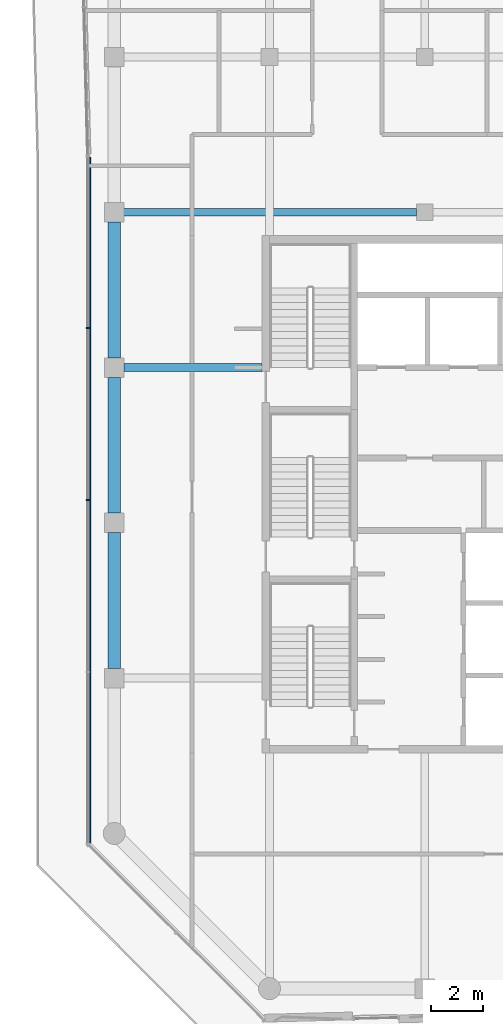
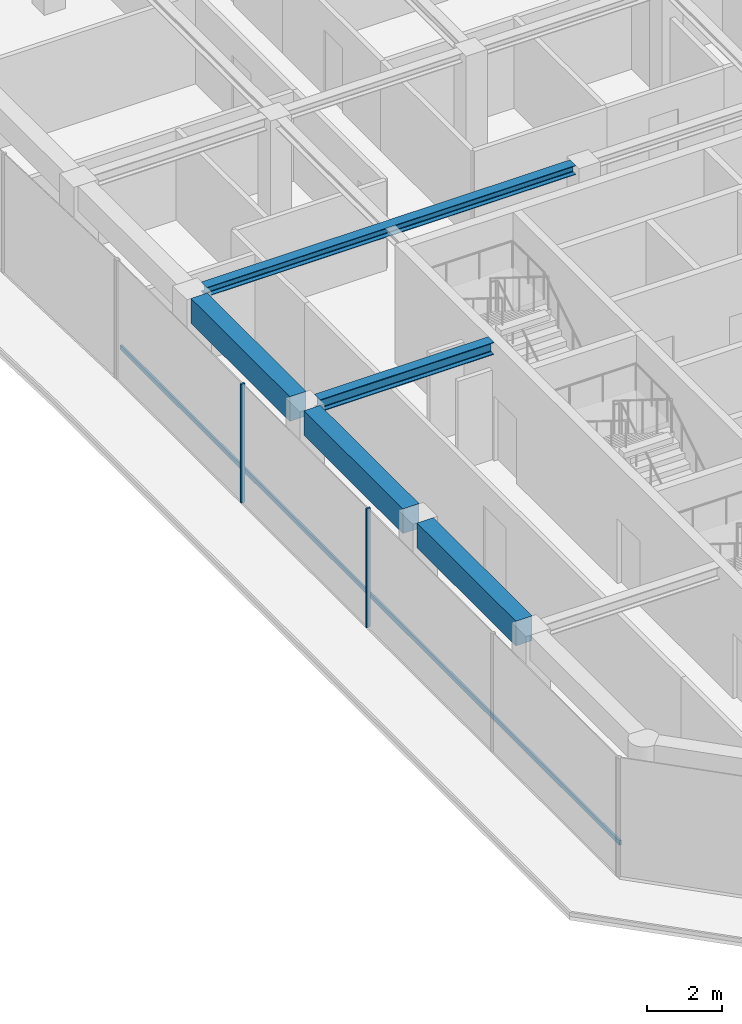
# One storey, part 4 of 20: 5 beams, 3 members, 1 element without a shape of its own.
"""IFC4 building model written with IfcOpenShell, lengths in metres."""

from ifc_helpers import new_model, si_unit, direction, frame, origin, origin_2d, place, context, subcontext, project, spatial, rectangle, i_section, extrude, material, layer, layer_set, material_profile, profile_set, type_object, element, aggregate, save


model = new_model("IFC4")

# Units and contexts
model_context = context("Model", 3, precision=1e-05, world=origin(), true_north=direction((0.0, 1.0)))
body_context = subcontext(model_context, "Body", "Model", "MODEL_VIEW")
ifc_project = project(units=[si_unit("LENGTHUNIT", "METRE"), si_unit("AREAUNIT", "SQUARE_METRE"), si_unit("VOLUMEUNIT", "CUBIC_METRE"), si_unit("PLANEANGLEUNIT", "RADIAN"), si_unit("MASSUNIT", "GRAM", prefix="KILO")], contexts=[model_context])

# Site, building, storey
site_placement = place(None, origin())
site = spatial("IfcSite", under=ifc_project, at=site_placement, CompositionType="ELEMENT")
building_placement = place(site_placement, origin())
building = spatial("IfcBuilding", under=site, at=building_placement, Name="Welwitschia Terrace Campus", CompositionType="ELEMENT")
storey_placement = place(building_placement, frame((0.0, 0.0, 293.60009765625)))
storey = spatial("IfcBuildingStorey", under=building, at=storey_placement, Name="L65", CompositionType="ELEMENT", Elevation=293.60009765625)

# Beam
ifc_material_1 = material(Name="Steel S355", Category="steel")
ifc_material_profile_1 = material_profile(ifc_material_1, i_section(OverallWidth=0.300048828125, OverallDepth=0.300048828125, WebThickness=0.010986328125, FlangeThickness=0.01904296875, FilletRadius=0.027099609375, at=origin_2d()))
ifc_profile_set_1 = profile_set([ifc_material_profile_1], Name="Steel S355")
beam_type_1 = type_object("IfcBeamType", Name="Interior girder HE 300 B", PredefinedType="BEAM", material=ifc_profile_set_1)
beam_1_placement = place(storey_placement, frame((0.365478515625, 26.0, 3.699951171875), z_axis=(1.0, 0.0, 0.0), x_axis=(0.0, 1.0, 0.0)))
element("IfcBeam", 1, at=beam_1_placement, inside=storey, type_object=beam_type_1, Name="Girder GB6", PredefinedType="BEAM", context=body_context, shape_type="SweptSolid", body=[
    extrude(i_section(OverallWidth=0.300048828125, OverallDepth=0.300048828125, WebThickness=0.010986328125, FlangeThickness=0.01904296875, FilletRadius=0.027099609375, at=origin_2d()), origin(), (0.0, 0.0, 1.0), 11.30908203125),
])

# Curtain wall, members
ifc_material_2 = material(Name="Bronze anodised aluminium", Category="aluminium")
ifc_layer = layer(ifc_material_2, 0.1201171875)
ifc_layer_set = layer_set([ifc_layer], Name="Bronze anodised aluminium")
curtain_wall_type = type_object("IfcCurtainWallType", Name="Curtain wall CW2 tower 6000", PredefinedType="NOTDEFINED", material=ifc_layer_set)
curtain_wall_placement = place(storey_placement, origin())
curtain_wall = element("IfcCurtainWall", 2, at=curtain_wall_placement, inside=storey, type_object=curtain_wall_type, Name="CW L65.1.0", PredefinedType="NOTDEFINED")
ifc_material_3 = material(Name="Bronze anodised aluminium", Category="aluminium")
ifc_material_profile_2 = material_profile(ifc_material_3, rectangle(XDim=0.1201171875, YDim=0.06005859375, at=origin_2d()))
ifc_profile_set_2 = profile_set([ifc_material_profile_2], Name="Bronze anodised aluminium")
member_type_1 = type_object("IfcMemberType", Name="Mullion 60x120", PredefinedType="MULLION", material=ifc_profile_set_2)
member_1_placement = place(storey_placement, frame((-1.030029296875, 21.537109375, 0.0), z_axis=(0.0, 0.0, 1.0), x_axis=(1.0, 0.0, 0.0)))
member_1 = element("IfcMember", 3, at=member_1_placement, type_object=member_type_1, Name="Mullion L65.1.0.1", PredefinedType="MULLION", context=body_context, shape_type="SweptSolid", body=[
    extrude(rectangle(XDim=0.1201171875, YDim=0.06005859375, at=origin_2d()), origin(), (0.0, 0.0, 1.0), 3.849853515625),
])
member_2_placement = place(storey_placement, frame((-1.030029296875, 14.882568359375, 0.0), z_axis=(0.0, 0.0, 1.0), x_axis=(1.0, 0.0, 0.0)))
member_2 = element("IfcMember", 4, at=member_2_placement, type_object=member_type_1, Name="Mullion L65.1.0.2", PredefinedType="MULLION", context=body_context, shape_type="SweptSolid", body=[
    extrude(rectangle(XDim=0.1201171875, YDim=0.06005859375, at=origin_2d()), origin(), (0.0, 0.0, 1.0), 3.849853515625),
])

# Beams
ifc_material_4 = material(Name="Steel S355", Category="steel")
ifc_material_profile_3 = material_profile(ifc_material_4, i_section(OverallWidth=0.300048828125, OverallDepth=0.39990234375, WebThickness=0.013427734375, FlangeThickness=0.02392578125, FilletRadius=0.027099609375, at=origin_2d()))
ifc_profile_set_3 = profile_set([ifc_material_profile_3], Name="Steel S355")
beam_type_2 = type_object("IfcBeamType", Name="Primary beam HE 400 B", PredefinedType="BEAM", material=ifc_profile_set_3)
beam_2_placement = place(storey_placement, frame((0.37548828125, 20.0, 3.64990234375), z_axis=(1.0, 0.0, 0.0), x_axis=(0.0, 1.0, 0.0)))
element("IfcBeam", 5, at=beam_2_placement, inside=storey, type_object=beam_type_2, Name="Primary beam PB6", PredefinedType="BEAM", context=body_context, shape_type="SweptSolid", body=[
    extrude(i_section(OverallWidth=0.300048828125, OverallDepth=0.39990234375, WebThickness=0.013427734375, FlangeThickness=0.02392578125, FilletRadius=0.027099609375, at=origin_2d()), origin(), (0.0, 0.0, 1.0), 5.324462890625),
])
ifc_material_5 = material(Name="Concrete C50/60", Category="concrete")
ifc_material_profile_4 = material_profile(ifc_material_5, rectangle(XDim=0.5, YDim=0.800048828125, at=origin_2d()))
ifc_profile_set_4 = profile_set([ifc_material_profile_4], Name="Concrete C50/60")
beam_type_3 = type_object("IfcBeamType", Name="Ring spandrel 500x800", PredefinedType="SPANDREL", material=ifc_profile_set_4)
for number, where, z_axis, x_axis, name in (
    (6, (0.0, 25.62451171875, 3.449951171875), (0.0, -1.0, 0.0), (1.0, 0.0, 0.0), "Spandrel SP4"),
    (7, (0.0, 19.62451171875, 3.449951171875), (0.0, -1.0, 0.0), (1.0, 0.0, 0.0), "Spandrel SP4"),
    (8, (0.0, 13.62451171875, 3.449951171875), (0.0, -1.0, 0.0), (1.0, 0.0, 0.0), "Spandrel SP4"),
):
    element("IfcBeam", number, at=place(storey_placement, frame(where, z_axis=z_axis, x_axis=x_axis)), inside=storey, type_object=beam_type_3, Name=name, PredefinedType="SPANDREL", context=body_context, shape_type="SweptSolid", body=[
        extrude(rectangle(XDim=0.5, YDim=0.800048828125, at=origin_2d()), origin(), (0.0, 0.0, 1.0), 5.2490234375),
    ])

# Member
ifc_material_6 = material(Name="Bronze anodised aluminium", Category="aluminium")
ifc_material_profile_5 = material_profile(ifc_material_6, rectangle(XDim=0.06005859375, YDim=0.14990234375, at=origin_2d()))
ifc_profile_set_5 = profile_set([ifc_material_profile_5], Name="Bronze anodised aluminium")
member_type_2 = type_object("IfcMemberType", Name="Transom 60x150", PredefinedType="USERDEFINED", material=ifc_profile_set_5)
member_3_placement = place(storey_placement, frame((-0.93994140625, 28.131591796875, 1.0), z_axis=(0.0, -1.0, 0.0), x_axis=(1.0, 0.0, 0.0)))
member_3 = element("IfcMember", 9, at=member_3_placement, type_object=member_type_2, Name="Transom L65.1.0", ObjectType="TRANSOM", PredefinedType="USERDEFINED", context=body_context, shape_type="SweptSolid", body=[
    extrude(rectangle(XDim=0.06005859375, YDim=0.14990234375, at=origin_2d()), origin(), (0.0, 0.0, 1.0), 26.498291015625),
])

aggregate(curtain_wall, [member_1, member_2, member_3])

save(model, "model.ifc")
